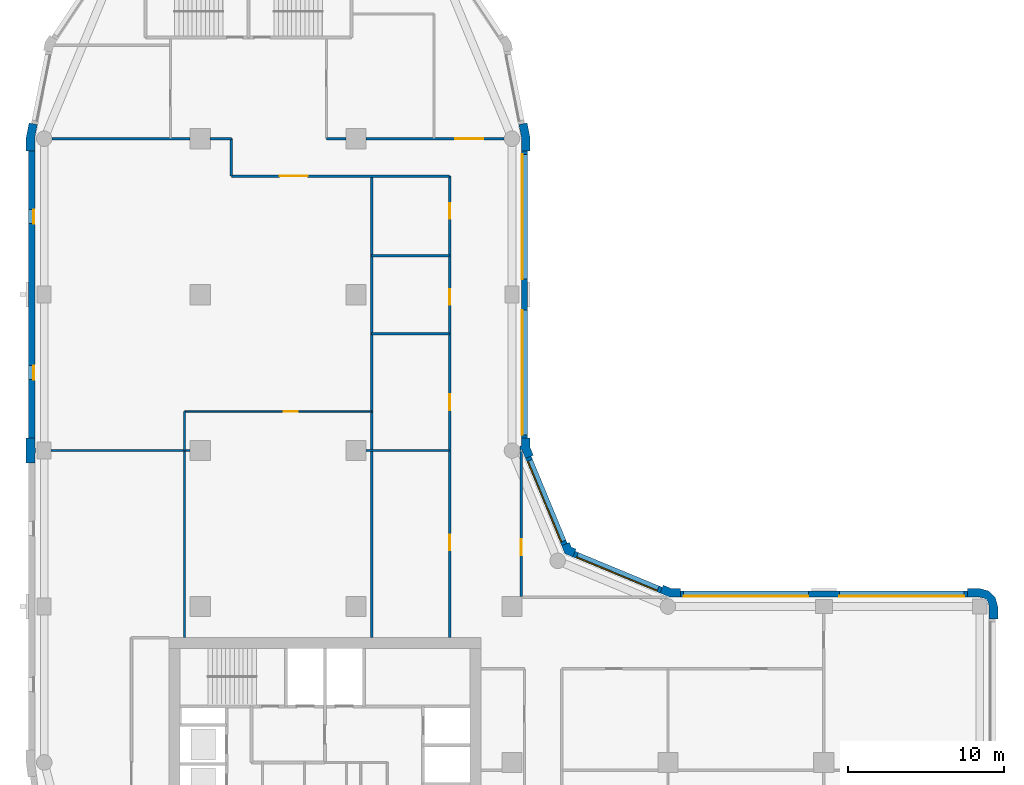
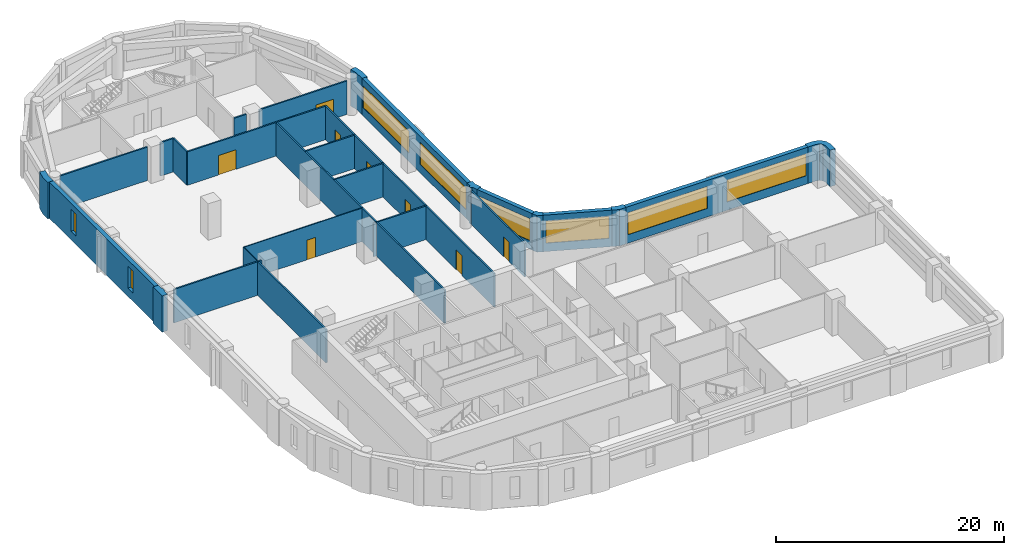
# One storey, part 5 of 9: 28 walls, 8 doors, 8 windows, 16 openings.
"""IFC4 building model written with IfcOpenShell, lengths in metres."""

from ifc_helpers import new_model, si_unit, direction, frame, frame_2d, origin, place, context, subcontext, project, spatial, polyline, rectangle, outline, extrude, material, layer, layer_set, type_object, element, fill, save


model = new_model("IFC4")

# Units and contexts
model_context = context("Model", 3, precision=1e-05, world=origin(), true_north=direction((0.0, 1.0)))
body_context = subcontext(model_context, "Body", "Model", "MODEL_VIEW")
ifc_project = project(units=[si_unit("LENGTHUNIT", "METRE"), si_unit("AREAUNIT", "SQUARE_METRE"), si_unit("VOLUMEUNIT", "CUBIC_METRE"), si_unit("PLANEANGLEUNIT", "RADIAN"), si_unit("MASSUNIT", "GRAM", prefix="KILO")], contexts=[model_context])

# Site, building, storey
site_placement = place(None, origin())
site = spatial("IfcSite", under=ifc_project, at=site_placement, CompositionType="ELEMENT")
building_placement = place(site_placement, origin())
building = spatial("IfcBuilding", under=site, at=building_placement, Name="Qaws Garden Tower", CompositionType="ELEMENT")
storey_placement = place(building_placement, frame((0.0, 0.0, 155.10009765625)))
storey = spatial("IfcBuildingStorey", under=building, at=storey_placement, Name="L37", CompositionType="ELEMENT", Elevation=155.10009765625)

# Wall
ifc_material_1 = material(Name="Clay facing brick masonry", Category="masonry")
ifc_layer_1 = layer(ifc_material_1, 0.550048828125)
ifc_layer_set_1 = layer_set([ifc_layer_1], Name="Clay facing brick masonry")
wall_type_1 = type_object("IfcWallType", Name="Brick corner pier 550 x 2400", PredefinedType="SOLIDWALL", material=ifc_layer_set_1)
placement = place(storey_placement, origin())
element("IfcWall", 1, at=placement, inside=storey, type_object=wall_type_1, Name="E-L37-pier-07", PredefinedType="SOLIDWALL", context=body_context, shape_type="SweptSolid", body=[
    extrude(outline(polyline([(61.0, 29.199951171875), (61.14990234375, 29.199951171875), (61.14990234375, 30.0), (60.995849609375, 30.574951171875), (60.574951171875, 30.995849609375), (60.0, 31.14990234375), (59.199951171875, 31.14990234375), (59.199951171875, 31.0), (59.199951171875, 30.60009765625), (60.0, 30.60009765625), (60.300048828125, 30.51953125), (60.51953125, 30.300048828125), (60.60009765625, 30.0), (60.60009765625, 29.199951171875), (61.0, 29.199951171875)])), origin(), (0.0, 0.0, 1.0), 3.89990234375),
])

# Wall, openings, windows
ifc_material_2 = material(Name="Clay facing brick masonry", Category="masonry")
ifc_layer_2 = layer(ifc_material_2, 0.39990234375)
ifc_layer_set_2 = layer_set([ifc_layer_2], Name="Clay facing brick masonry")
wall_type_2 = type_object("IfcWallType", Name="Brick infill wall 400", PredefinedType="SOLIDWALL", material=ifc_layer_set_2)
wall_2_placement = place(storey_placement, frame((59.199951171875, 30.800048828125, 0.0), z_axis=(0.0, 0.0, 1.0), x_axis=(-1.0, 0.0, 0.0)))
wall_2 = element("IfcWall", 2, at=wall_2_placement, inside=storey, type_object=wall_type_2, Name="E-L37-infill-07", PredefinedType="SOLIDWALL", context=body_context, shape_type="SweptSolid", body=[
    extrude(rectangle(XDim=18.39990234375, YDim=0.39990234375, at=frame_2d((9.199951171875, 0.0))), origin(), (0.0, 0.0, 1.0), 3.89990234375),
])
opening_1_placement = place(wall_2_placement, frame((0.199951171875, 0.0, 0.89990234375)))
opening_1 = element("IfcOpeningElement", 3, at=opening_1_placement, cuts=wall_2, Name="Opening W01", PredefinedType="OPENING", context=body_context, shape_type="SweptSolid", body=[
    extrude(rectangle(XDim=8.0, YDim=2.35009765625, at=frame_2d((4.0, 1.175048828125))), frame((0.0, 0.2099609375, 0.0), z_axis=(0.0, -1.0, 0.0), x_axis=(1.0, 0.0, 0.0)), (0.0, 0.0, 1.0), 0.419921875),
])
opening_2_placement = place(wall_2_placement, frame((10.199951171875, 0.0, 0.89990234375)))
opening_2 = element("IfcOpeningElement", 4, at=opening_2_placement, cuts=wall_2, Name="Opening W01", PredefinedType="OPENING", context=body_context, shape_type="SweptSolid", body=[
    extrude(rectangle(XDim=8.0, YDim=2.35009765625, at=frame_2d((4.0, 1.175048828125))), frame((0.0, 0.2099609375, 0.0), z_axis=(0.0, -1.0, 0.0), x_axis=(1.0, 0.0, 0.0)), (0.0, 0.0, 1.0), 0.419921875),
])
ifc_material_3 = material(Name="Aluminium framed window, clear glazing", Category="aluminium")
window_type_1 = type_object("IfcWindowType", Name="Ribbon window 8000 x 2350", PartitioningType="DOUBLE_PANEL_VERTICAL", PredefinedType="WINDOW", material=ifc_material_3)
window_1_placement = place(opening_1_placement, origin())
window_1 = element("IfcWindow", 5, at=window_1_placement, inside=storey, type_object=window_type_1, Name="E-L37-window-07-0", OverallHeight=2.35009765625, OverallWidth=8.0, PartitioningType="SINGLE_PANEL", PredefinedType="WINDOW", context=body_context, shape_type="SweptSolid", body=[
    extrude(rectangle(XDim=8.0, YDim=2.35009765625, at=frame_2d((4.0, 1.175048828125))), frame((0.0, 0.159912109375, 0.0), z_axis=(0.0, -1.0, 0.0), x_axis=(1.0, 0.0, 0.0)), (0.0, 0.0, 1.0), 0.06005859375),
])
fill(opening_1, window_1)
window_2_placement = place(opening_2_placement, origin())
window_2 = element("IfcWindow", 6, at=window_2_placement, inside=storey, type_object=window_type_1, Name="E-L37-window-08-0", OverallHeight=2.35009765625, OverallWidth=8.0, PartitioningType="SINGLE_PANEL", PredefinedType="WINDOW", context=body_context, shape_type="SweptSolid", body=[
    extrude(rectangle(XDim=8.0, YDim=2.35009765625, at=frame_2d((4.0, 1.175048828125))), frame((0.0, 0.159912109375, 0.0), z_axis=(0.0, -1.0, 0.0), x_axis=(1.0, 0.0, 0.0)), (0.0, 0.0, 1.0), 0.06005859375),
])
fill(opening_2, window_2)

# Wall, opening, window
wall_3_placement = place(storey_placement, frame((39.56689453125, 31.04541015625, 0.0), z_axis=(0.0, 0.0, 1.0), x_axis=(-0.923891000409, 0.382655745237, 0.0)))
wall_3 = element("IfcWall", 7, at=wall_3_placement, inside=storey, type_object=wall_type_2, Name="E-L37-infill-09", PredefinedType="SOLIDWALL", context=body_context, shape_type="SweptSolid", body=[
    extrude(rectangle(XDim=6.053466796875, YDim=0.39990234375, at=frame_2d((3.02685546875, 0.0))), origin(), (0.0, 0.0, 1.0), 3.89990234375),
])
opening_3_placement = place(wall_3_placement, frame((0.226806640625, 0.0, 0.89990234375)))
opening_3 = element("IfcOpeningElement", 8, at=opening_3_placement, cuts=wall_3, Name="Opening W04", PredefinedType="OPENING", context=body_context, shape_type="SweptSolid", body=[
    extrude(rectangle(XDim=5.60009765625, YDim=2.35009765625, at=frame_2d((2.800048828125, 1.175048828125))), frame((0.0, 0.2099609375, 0.0), z_axis=(0.0, -1.0, 0.0), x_axis=(1.0, 0.0, 0.0)), (0.0, 0.0, 1.0), 0.419921875),
])
ifc_material_4 = material(Name="Aluminium framed window, clear glazing", Category="aluminium")
window_type_2 = type_object("IfcWindowType", Name="Ribbon window 5600 x 2350", PartitioningType="DOUBLE_PANEL_VERTICAL", PredefinedType="WINDOW", material=ifc_material_4)
window_3_placement = place(opening_3_placement, origin())
window_3 = element("IfcWindow", 9, at=window_3_placement, inside=storey, type_object=window_type_2, Name="E-L37-window-09-0", OverallHeight=2.35009765625, OverallWidth=5.60009765625, PartitioningType="SINGLE_PANEL", PredefinedType="WINDOW", context=body_context, shape_type="SweptSolid", body=[
    extrude(rectangle(XDim=5.60009765625, YDim=2.35009765625, at=frame_2d((2.800048828125, 1.175048828125))), frame((0.0, 0.159912109375, 0.0), z_axis=(0.0, -1.0, 0.0), x_axis=(1.0, 0.0, 0.0)), (0.0, 0.0, 1.0), 0.06005859375),
])
fill(opening_3, window_3)

wall_4_placement = place(storey_placement, frame((33.36181640625, 33.97412109375, 0.0), z_axis=(0.0, 0.0, 1.0), x_axis=(-0.382655745237, 0.923891000409, 0.0)))
wall_4 = element("IfcWall", 10, at=wall_4_placement, inside=storey, type_object=wall_type_2, Name="E-L37-infill-10", PredefinedType="SOLIDWALL", context=body_context, shape_type="SweptSolid", body=[
    extrude(rectangle(XDim=6.053466796875, YDim=0.39990234375, at=frame_2d((3.02685546875, 0.0))), origin(), (0.0, 0.0, 1.0), 3.89990234375),
])
opening_4_placement = place(wall_4_placement, frame((0.226806640625, 0.0, 0.89990234375)))
opening_4 = element("IfcOpeningElement", 11, at=opening_4_placement, cuts=wall_4, Name="Opening W04", PredefinedType="OPENING", context=body_context, shape_type="SweptSolid", body=[
    extrude(rectangle(XDim=5.60009765625, YDim=2.35009765625, at=frame_2d((2.800048828125, 1.175048828125))), frame((0.0, 0.2099609375, 0.0), z_axis=(0.0, -1.0, 0.0), x_axis=(1.0, 0.0, 0.0)), (0.0, 0.0, 1.0), 0.419921875),
])
window_4_placement = place(opening_4_placement, origin())
window_4 = element("IfcWindow", 12, at=window_4_placement, inside=storey, type_object=window_type_2, Name="E-L37-window-10-0", OverallHeight=2.35009765625, OverallWidth=5.60009765625, PartitioningType="SINGLE_PANEL", PredefinedType="WINDOW", context=body_context, shape_type="SweptSolid", body=[
    extrude(rectangle(XDim=5.60009765625, YDim=2.35009765625, at=frame_2d((2.800048828125, 1.175048828125))), frame((0.0, 0.159912109375, 0.0), z_axis=(0.0, -1.0, 0.0), x_axis=(1.0, 0.0, 0.0)), (0.0, 0.0, 1.0), 0.06005859375),
])
fill(opening_4, window_4)

# Wall, openings, windows
wall_5_placement = place(storey_placement, frame((30.800048828125, 40.800048828125, 0.0), z_axis=(0.0, 0.0, 1.0), x_axis=(0.0, 1.0, 0.0)))
wall_5 = element("IfcWall", 13, at=wall_5_placement, inside=storey, type_object=wall_type_2, Name="E-L37-infill-11", PredefinedType="SOLIDWALL", context=body_context, shape_type="SweptSolid", body=[
    extrude(rectangle(XDim=18.39990234375, YDim=0.39990234375, at=frame_2d((9.199951171875, 0.0))), origin(), (0.0, 0.0, 1.0), 3.89990234375),
])
opening_5_placement = place(wall_5_placement, frame((0.199951171875, 0.0, 0.89990234375)))
opening_5 = element("IfcOpeningElement", 14, at=opening_5_placement, cuts=wall_5, Name="Opening W01", PredefinedType="OPENING", context=body_context, shape_type="SweptSolid", body=[
    extrude(rectangle(XDim=8.0, YDim=2.35009765625, at=frame_2d((4.0, 1.175048828125))), frame((0.0, 0.2099609375, 0.0), z_axis=(0.0, -1.0, 0.0), x_axis=(1.0, 0.0, 0.0)), (0.0, 0.0, 1.0), 0.419921875),
])
opening_6_placement = place(wall_5_placement, frame((10.199951171875, 0.0, 0.89990234375)))
opening_6 = element("IfcOpeningElement", 15, at=opening_6_placement, cuts=wall_5, Name="Opening W01", PredefinedType="OPENING", context=body_context, shape_type="SweptSolid", body=[
    extrude(rectangle(XDim=8.0, YDim=2.35009765625, at=frame_2d((4.0, 1.175048828125))), frame((0.0, 0.2099609375, 0.0), z_axis=(0.0, -1.0, 0.0), x_axis=(1.0, 0.0, 0.0)), (0.0, 0.0, 1.0), 0.419921875),
])
window_5_placement = place(opening_5_placement, origin())
window_5 = element("IfcWindow", 16, at=window_5_placement, inside=storey, type_object=window_type_1, Name="E-L37-window-11-0", OverallHeight=2.35009765625, OverallWidth=8.0, PartitioningType="SINGLE_PANEL", PredefinedType="WINDOW", context=body_context, shape_type="SweptSolid", body=[
    extrude(rectangle(XDim=8.0, YDim=2.35009765625, at=frame_2d((4.0, 1.175048828125))), frame((0.0, 0.159912109375, 0.0), z_axis=(0.0, -1.0, 0.0), x_axis=(1.0, 0.0, 0.0)), (0.0, 0.0, 1.0), 0.06005859375),
])
fill(opening_5, window_5)
window_6_placement = place(opening_6_placement, origin())
window_6 = element("IfcWindow", 17, at=window_6_placement, inside=storey, type_object=window_type_1, Name="E-L37-window-12-0", OverallHeight=2.35009765625, OverallWidth=8.0, PartitioningType="SINGLE_PANEL", PredefinedType="WINDOW", context=body_context, shape_type="SweptSolid", body=[
    extrude(rectangle(XDim=8.0, YDim=2.35009765625, at=frame_2d((4.0, 1.175048828125))), frame((0.0, 0.159912109375, 0.0), z_axis=(0.0, -1.0, 0.0), x_axis=(1.0, 0.0, 0.0)), (0.0, 0.0, 1.0), 0.06005859375),
])
fill(opening_6, window_6)

wall_6_placement = place(storey_placement, frame((-0.800048828125, 59.199951171875, 0.0), z_axis=(0.0, 0.0, 1.0), x_axis=(0.0, -1.0, 0.0)))
wall_6 = element("IfcWall", 18, at=wall_6_placement, inside=storey, type_object=wall_type_2, Name="E-L37-infill-21", PredefinedType="SOLIDWALL", context=body_context, shape_type="SweptSolid", body=[
    extrude(rectangle(XDim=18.39990234375, YDim=0.39990234375, at=frame_2d((9.199951171875, 0.0))), origin(), (0.0, 0.0, 1.0), 3.89990234375),
])
opening_7_placement = place(wall_6_placement, frame((3.75, 0.0, 0.89990234375)))
opening_7 = element("IfcOpeningElement", 19, at=opening_7_placement, cuts=wall_6, Name="Opening W09", PredefinedType="OPENING", context=body_context, shape_type="SweptSolid", body=[
    extrude(rectangle(XDim=0.89990234375, YDim=2.35009765625, at=frame_2d((0.449951171875, 1.175048828125))), frame((0.0, 0.2099609375, 0.0), z_axis=(0.0, -1.0, 0.0), x_axis=(1.0, 0.0, 0.0)), (0.0, 0.0, 1.0), 0.419921875),
])
opening_8_placement = place(wall_6_placement, frame((13.75, 0.0, 0.89990234375)))
opening_8 = element("IfcOpeningElement", 20, at=opening_8_placement, cuts=wall_6, Name="Opening W09", PredefinedType="OPENING", context=body_context, shape_type="SweptSolid", body=[
    extrude(rectangle(XDim=0.89990234375, YDim=2.35009765625, at=frame_2d((0.449951171875, 1.175048828125))), frame((0.0, 0.2099609375, 0.0), z_axis=(0.0, -1.0, 0.0), x_axis=(1.0, 0.0, 0.0)), (0.0, 0.0, 1.0), 0.419921875),
])
ifc_material_5 = material(Name="Aluminium framed window, clear glazing", Category="aluminium")
window_type_3 = type_object("IfcWindowType", Name="Slit window 900 x 2350", PartitioningType="SINGLE_PANEL", PredefinedType="WINDOW", material=ifc_material_5)
window_7_placement = place(opening_7_placement, origin())
window_7 = element("IfcWindow", 21, at=window_7_placement, inside=storey, type_object=window_type_3, Name="E-L37-window-21-0", OverallHeight=2.35009765625, OverallWidth=0.89990234375, PartitioningType="SINGLE_PANEL", PredefinedType="WINDOW", context=body_context, shape_type="SweptSolid", body=[
    extrude(rectangle(XDim=0.89990234375, YDim=2.35009765625, at=frame_2d((0.449951171875, 1.175048828125))), frame((0.0, 0.159912109375, 0.0), z_axis=(0.0, -1.0, 0.0), x_axis=(1.0, 0.0, 0.0)), (0.0, 0.0, 1.0), 0.06005859375),
])
fill(opening_7, window_7)
window_8_placement = place(opening_8_placement, origin())
window_8 = element("IfcWindow", 22, at=window_8_placement, inside=storey, type_object=window_type_3, Name="E-L37-window-22-0", OverallHeight=2.35009765625, OverallWidth=0.89990234375, PartitioningType="SINGLE_PANEL", PredefinedType="WINDOW", context=body_context, shape_type="SweptSolid", body=[
    extrude(rectangle(XDim=0.89990234375, YDim=2.35009765625, at=frame_2d((0.449951171875, 1.175048828125))), frame((0.0, 0.159912109375, 0.0), z_axis=(0.0, -1.0, 0.0), x_axis=(1.0, 0.0, 0.0)), (0.0, 0.0, 1.0), 0.06005859375),
])
fill(opening_8, window_8)

# Walls
ifc_material_6 = material(Name="Clay facing brick masonry", Category="masonry")
ifc_layer_3 = layer(ifc_material_6, 0.550048828125)
ifc_layer_set_3 = layer_set([ifc_layer_3], Name="Clay facing brick masonry")
wall_type_3 = type_object("IfcWallType", Name="Brick pier 550 x 1600", PredefinedType="SOLIDWALL", material=ifc_layer_set_3)
element("IfcWall", 23, at=placement, inside=storey, type_object=wall_type_3, Name="E-L37-pier-09", PredefinedType="SOLIDWALL", context=body_context, shape_type="SweptSolid", body=[
    extrude(outline(polyline([(40.800048828125, 31.0), (40.800048828125, 31.14990234375), (40.228759765625, 31.14990234375), (39.700927734375, 31.36865234375), (39.6435546875, 31.22998046875), (39.490478515625, 30.860595703125), (40.119384765625, 30.60009765625), (40.800048828125, 30.60009765625), (40.800048828125, 31.0)])), origin(), (0.0, 0.0, 1.0), 3.89990234375),
])
element("IfcWall", 24, at=placement, inside=storey, type_object=wall_type_3, Name="E-L37-pier-10", PredefinedType="SOLIDWALL", context=body_context, shape_type="SweptSolid", body=[
    extrude(outline(polyline([(34.05078125, 33.546630859375), (34.108154296875, 33.685302734375), (33.80908203125, 33.80908203125), (33.685302734375, 34.108154296875), (33.546630859375, 34.05078125), (33.177001953125, 33.897705078125), (33.38818359375, 33.38818359375), (33.897705078125, 33.177001953125), (34.05078125, 33.546630859375)])), origin(), (0.0, 0.0, 1.0), 3.89990234375),
])
element("IfcWall", 25, at=placement, inside=storey, type_object=wall_type_3, Name="E-L37-pier-11", PredefinedType="SOLIDWALL", context=body_context, shape_type="SweptSolid", body=[
    extrude(outline(polyline([(30.6201171875, 39.995361328125), (30.6201171875, 40.071044921875), (30.860595703125, 39.490478515625), (31.22998046875, 39.6435546875), (31.36865234375, 39.700927734375), (31.14990234375, 40.228759765625), (31.14990234375, 40.800048828125), (31.0, 40.800048828125), (30.60009765625, 40.800048828125), (30.60009765625, 40.29541015625), (30.5, 40.29541015625), (30.5, 39.995361328125), (30.6201171875, 39.995361328125)])), origin(), (0.0, 0.0, 1.0), 3.89990234375),
])
element("IfcWall", 26, at=placement, inside=storey, type_object=wall_type_3, Name="E-L37-pier-13", PredefinedType="SOLIDWALL", context=body_context, shape_type="SweptSolid", body=[
    extrude(outline(polyline([(31.0, 59.199951171875), (31.14990234375, 59.199951171875), (31.14990234375, 60.11328125), (30.971923828125, 61.009033203125), (30.82470703125, 60.979736328125), (30.432373046875, 60.901611328125), (30.60009765625, 60.05908203125), (30.60009765625, 59.199951171875), (31.0, 59.199951171875)])), origin(), (0.0, 0.0, 1.0), 3.89990234375),
])
element("IfcWall", 27, at=placement, inside=storey, type_object=wall_type_3, Name="E-L37-pier-21", PredefinedType="SOLIDWALL", context=body_context, shape_type="SweptSolid", body=[
    extrude(outline(polyline([(-0.82470703125, 60.979736328125), (-0.971923828125, 61.009033203125), (-1.14990234375, 60.11328125), (-1.14990234375, 59.199951171875), (-1.0, 59.199951171875), (-0.60009765625, 59.199951171875), (-0.60009765625, 60.05908203125), (-0.432373046875, 60.901611328125), (-0.82470703125, 60.979736328125)])), origin(), (0.0, 0.0, 1.0), 3.89990234375),
])
element("IfcWall", 28, at=placement, inside=storey, type_object=wall_type_3, Name="E-L37-pier-23", PredefinedType="SOLIDWALL", context=body_context, shape_type="SweptSolid", body=[
    extrude(outline(polyline([(-0.60009765625, 39.199951171875), (-0.60009765625, 39.85009765625), (-0.550048828125, 39.85009765625), (-0.550048828125, 40.14990234375), (-0.60009765625, 40.14990234375), (-0.60009765625, 40.800048828125), (-1.0, 40.800048828125), (-1.14990234375, 40.800048828125), (-1.14990234375, 40.0), (-1.14990234375, 39.199951171875), (-1.0, 39.199951171875), (-0.60009765625, 39.199951171875)])), origin(), (0.0, 0.0, 1.0), 3.89990234375),
])
ifc_material_7 = material(Name="Gypsum board partition")
ifc_layer_4 = layer(ifc_material_7, 0.10009765625)
ifc_layer_set_4 = layer_set([ifc_layer_4], Name="Gypsum board partition")
wall_type_4 = type_object("IfcWallType", Name="PARTITION 100", PredefinedType="PARTITIONING", material=ifc_layer_set_4)
wall_13_placement = place(storey_placement, frame((9.0, 40.0, 0.0), z_axis=(0.0, 0.0, 1.0), x_axis=(0.0, 1.0, 0.0)))
element("IfcWall", 29, at=wall_13_placement, inside=storey, type_object=wall_type_4, Name="O-L37-wall-001", PredefinedType="PARTITIONING", context=body_context, shape_type="SweptSolid", body=[
    extrude(rectangle(XDim=2.5, YDim=0.10009765625, at=frame_2d((1.25, 0.0))), origin(), (0.0, 0.0, 1.0), 3.579833984375),
])

# Wall, opening, door
wall_14_placement = place(storey_placement, frame((9.0, 42.5, 0.0), z_axis=(0.0, 0.0, 1.0), x_axis=(1.0, 0.0, 0.0)))
wall_14 = element("IfcWall", 30, at=wall_14_placement, inside=storey, type_object=wall_type_4, Name="O-L37-wall-005", PredefinedType="PARTITIONING", context=body_context, shape_type="SweptSolid", body=[
    extrude(rectangle(XDim=12.0, YDim=0.10009765625, at=frame_2d((6.0, 0.0))), origin(), (0.0, 0.0, 1.0), 3.579833984375),
])
opening_9_placement = place(wall_14_placement, frame((6.35009765625, 0.0, 0.0)))
opening_9 = element("IfcOpeningElement", 31, at=opening_9_placement, cuts=wall_14, Name="Opening B324", PredefinedType="OPENING", context=body_context, shape_type="SweptSolid", body=[
    extrude(rectangle(XDim=0.89990234375, YDim=2.10009765625, at=frame_2d((0.449951171875, 1.050048828125))), frame((0.0, 0.06005859375, 0.0), z_axis=(0.0, -1.0, 0.0), x_axis=(1.0, 0.0, 0.0)), (0.0, 0.0, 1.0), 0.1201171875),
])
ifc_material_8 = material(Name="Timber door leaf", Category="wood")
door_type_1 = type_object("IfcDoorType", Name="OFFICE DOOR 900 X 2100", OperationType="SINGLE_SWING_LEFT", PredefinedType="DOOR", material=ifc_material_8)
door_1_placement = place(opening_9_placement, frame((0.89990234375, 0.0, 0.0), z_axis=(0.0, 0.0, 1.0), x_axis=(-1.0, 0.0, 0.0)))
door_1 = element("IfcDoor", 32, at=door_1_placement, inside=storey, type_object=door_type_1, Name="O-L37-door-024", OperationType="SINGLE_SWING_LEFT", OverallHeight=2.10009765625, OverallWidth=0.89990234375, PredefinedType="DOOR", context=body_context, shape_type="SweptSolid", body=[
    extrude(rectangle(XDim=0.89990234375, YDim=2.10009765625, at=frame_2d((0.449951171875, 1.050048828125))), frame((0.0, 0.02490234375, 0.0), z_axis=(0.0, -1.0, 0.0), x_axis=(1.0, 0.0, 0.0)), (0.0, 0.0, 1.0), 0.050048828125),
])
fill(opening_9, door_1)

# Walls
ifc_material_9 = material(Name="Gypsum board partition")
ifc_layer_5 = layer(ifc_material_9, 0.14990234375)
ifc_layer_set_5 = layer_set([ifc_layer_5], Name="Gypsum board partition")
wall_type_5 = type_object("IfcWallType", Name="PARTITION 150 EI 60", PredefinedType="PARTITIONING", material=ifc_layer_set_5)
wall_15_placement = place(storey_placement, frame((9.0, 28.0, 0.0), z_axis=(0.0, 0.0, 1.0), x_axis=(0.0, 1.0, 0.0)))
element("IfcWall", 33, at=wall_15_placement, inside=storey, type_object=wall_type_5, Name="O-L37-wall-008", PredefinedType="PARTITIONING", context=body_context, shape_type="SweptSolid", body=[
    extrude(rectangle(XDim=12.0, YDim=0.14990234375, at=frame_2d((6.0, 0.0))), origin(), (0.0, 0.0, 1.0), 3.579833984375),
])
wall_16_placement = place(storey_placement, frame((12.0, 57.60009765625, 0.0), z_axis=(0.0, 0.0, 1.0), x_axis=(0.0, 1.0, 0.0)))
element("IfcWall", 34, at=wall_16_placement, inside=storey, type_object=wall_type_5, Name="O-L37-wall-009", PredefinedType="PARTITIONING", context=body_context, shape_type="SweptSolid", body=[
    extrude(rectangle(XDim=2.39990234375, YDim=0.14990234375, at=frame_2d((1.199951171875, 0.0))), origin(), (0.0, 0.0, 1.0), 3.579833984375),
])
wall_17_placement = place(storey_placement, frame((21.0, 28.0, 0.0), z_axis=(0.0, 0.0, 1.0), x_axis=(0.0, 1.0, 0.0)))
element("IfcWall", 35, at=wall_17_placement, inside=storey, type_object=wall_type_5, Name="O-L37-wall-013", PredefinedType="PARTITIONING", context=body_context, shape_type="SweptSolid", body=[
    extrude(rectangle(XDim=29.60009765625, YDim=0.14990234375, at=frame_2d((14.800048828125, 0.0))), origin(), (0.0, 0.0, 1.0), 3.579833984375),
])

# Wall, openings, doors
wall_18_placement = place(storey_placement, frame((26.0, 28.0, 0.0), z_axis=(0.0, 0.0, 1.0), x_axis=(0.0, 1.0, 0.0)))
wall_18 = element("IfcWall", 36, at=wall_18_placement, inside=storey, type_object=wall_type_5, Name="O-L37-wall-015", PredefinedType="PARTITIONING", context=body_context, shape_type="SweptSolid", body=[
    extrude(rectangle(XDim=29.60009765625, YDim=0.14990234375, at=frame_2d((14.800048828125, 0.0))), origin(), (0.0, 0.0, 1.0), 3.579833984375),
])
opening_10_placement = place(wall_18_placement, frame((5.60009765625, 0.0, 0.0)))
opening_10 = element("IfcOpeningElement", 37, at=opening_10_placement, cuts=wall_18, Name="Opening B305", PredefinedType="OPENING", context=body_context, shape_type="SweptSolid", body=[
    extrude(rectangle(XDim=1.0, YDim=2.10009765625, at=frame_2d((0.5, 1.050048828125))), frame((0.0, 0.0849609375, 0.0), z_axis=(0.0, -1.0, 0.0), x_axis=(1.0, 0.0, 0.0)), (0.0, 0.0, 1.0), 0.169921875),
])
opening_11_placement = place(wall_18_placement, frame((14.60009765625, 0.0, 0.0)))
opening_11 = element("IfcOpeningElement", 38, at=opening_11_placement, cuts=wall_18, Name="Opening B306", PredefinedType="OPENING", context=body_context, shape_type="SweptSolid", body=[
    extrude(rectangle(XDim=1.0, YDim=2.10009765625, at=frame_2d((0.5, 1.050048828125))), frame((0.0, 0.0849609375, 0.0), z_axis=(0.0, -1.0, 0.0), x_axis=(1.0, 0.0, 0.0)), (0.0, 0.0, 1.0), 0.169921875),
])
opening_12_placement = place(wall_18_placement, frame((21.35009765625, 0.0, 0.0)))
opening_12 = element("IfcOpeningElement", 39, at=opening_12_placement, cuts=wall_18, Name="Opening B307", PredefinedType="OPENING", context=body_context, shape_type="SweptSolid", body=[
    extrude(rectangle(XDim=1.0, YDim=2.10009765625, at=frame_2d((0.5, 1.050048828125))), frame((0.0, 0.0849609375, 0.0), z_axis=(0.0, -1.0, 0.0), x_axis=(1.0, 0.0, 0.0)), (0.0, 0.0, 1.0), 0.169921875),
])
opening_13_placement = place(wall_18_placement, frame((26.85009765625, 0.0, 0.0)))
opening_13 = element("IfcOpeningElement", 40, at=opening_13_placement, cuts=wall_18, Name="Opening B308", PredefinedType="OPENING", context=body_context, shape_type="SweptSolid", body=[
    extrude(rectangle(XDim=1.0, YDim=2.10009765625, at=frame_2d((0.5, 1.050048828125))), frame((0.0, 0.0849609375, 0.0), z_axis=(0.0, -1.0, 0.0), x_axis=(1.0, 0.0, 0.0)), (0.0, 0.0, 1.0), 0.169921875),
])
ifc_material_10 = material(Name="Timber door leaf", Category="wood")
door_type_2 = type_object("IfcDoorType", Name="TENANCY ENTRANCE DOOR 1000 X 2100", OperationType="SINGLE_SWING_LEFT", PredefinedType="DOOR", material=ifc_material_10)
door_2_placement = place(opening_10_placement, origin())
door_2 = element("IfcDoor", 41, at=door_2_placement, inside=storey, type_object=door_type_2, Name="O-L37-door-005", OperationType="SINGLE_SWING_RIGHT", OverallHeight=2.10009765625, OverallWidth=1.0, PredefinedType="DOOR", context=body_context, shape_type="SweptSolid", body=[
    extrude(rectangle(XDim=1.0, YDim=2.10009765625, at=frame_2d((0.5, 1.050048828125))), frame((0.0, 0.02490234375, 0.0), z_axis=(0.0, -1.0, 0.0), x_axis=(1.0, 0.0, 0.0)), (0.0, 0.0, 1.0), 0.050048828125),
])
fill(opening_10, door_2)
door_3_placement = place(opening_11_placement, origin())
door_3 = element("IfcDoor", 42, at=door_3_placement, inside=storey, type_object=door_type_2, Name="O-L37-door-006", OperationType="SINGLE_SWING_LEFT", OverallHeight=2.10009765625, OverallWidth=1.0, PredefinedType="DOOR", context=body_context, shape_type="SweptSolid", body=[
    extrude(rectangle(XDim=1.0, YDim=2.10009765625, at=frame_2d((0.5, 1.050048828125))), frame((0.0, 0.02490234375, 0.0), z_axis=(0.0, -1.0, 0.0), x_axis=(1.0, 0.0, 0.0)), (0.0, 0.0, 1.0), 0.050048828125),
])
fill(opening_11, door_3)
door_4_placement = place(opening_12_placement, origin())
door_4 = element("IfcDoor", 43, at=door_4_placement, inside=storey, type_object=door_type_2, Name="O-L37-door-007", OperationType="SINGLE_SWING_LEFT", OverallHeight=2.10009765625, OverallWidth=1.0, PredefinedType="DOOR", context=body_context, shape_type="SweptSolid", body=[
    extrude(rectangle(XDim=1.0, YDim=2.10009765625, at=frame_2d((0.5, 1.050048828125))), frame((0.0, 0.02490234375, 0.0), z_axis=(0.0, -1.0, 0.0), x_axis=(1.0, 0.0, 0.0)), (0.0, 0.0, 1.0), 0.050048828125),
])
fill(opening_12, door_4)
door_5_placement = place(opening_13_placement, origin())
door_5 = element("IfcDoor", 44, at=door_5_placement, inside=storey, type_object=door_type_2, Name="O-L37-door-008", OperationType="SINGLE_SWING_LEFT", OverallHeight=2.10009765625, OverallWidth=1.0, PredefinedType="DOOR", context=body_context, shape_type="SweptSolid", body=[
    extrude(rectangle(XDim=1.0, YDim=2.10009765625, at=frame_2d((0.5, 1.050048828125))), frame((0.0, 0.02490234375, 0.0), z_axis=(0.0, -1.0, 0.0), x_axis=(1.0, 0.0, 0.0)), (0.0, 0.0, 1.0), 0.050048828125),
])
fill(opening_13, door_5)

# Wall, opening, door
wall_19_placement = place(storey_placement, frame((30.60009765625, 30.64990234375, 0.0), z_axis=(0.0, 0.0, 1.0), x_axis=(0.0, 1.0, 0.0)))
wall_19 = element("IfcWall", 45, at=wall_19_placement, inside=storey, type_object=wall_type_5, Name="O-L37-wall-018", PredefinedType="PARTITIONING", context=body_context, shape_type="SweptSolid", body=[
    extrude(rectangle(XDim=9.288330078125, YDim=0.14990234375, at=frame_2d((4.64404296875, 0.0))), origin(), (0.0, 0.0, 1.0), 3.579833984375),
])
opening_14_placement = place(wall_19_placement, frame((2.64990234375, 0.0, 0.0)))
opening_14 = element("IfcOpeningElement", 46, at=opening_14_placement, cuts=wall_19, Name="Opening B315", PredefinedType="OPENING", context=body_context, shape_type="SweptSolid", body=[
    extrude(rectangle(XDim=1.0, YDim=2.10009765625, at=frame_2d((0.5, 1.050048828125))), frame((0.0, 0.0849609375, 0.0), z_axis=(0.0, -1.0, 0.0), x_axis=(1.0, 0.0, 0.0)), (0.0, 0.0, 1.0), 0.169921875),
])
door_6_placement = place(opening_14_placement, frame((1.0, 0.0, 0.0), z_axis=(0.0, 0.0, 1.0), x_axis=(-1.0, 0.0, 0.0)))
door_6 = element("IfcDoor", 47, at=door_6_placement, inside=storey, type_object=door_type_2, Name="O-L37-door-015", OperationType="SINGLE_SWING_LEFT", OverallHeight=2.10009765625, OverallWidth=1.0, PredefinedType="DOOR", context=body_context, shape_type="SweptSolid", body=[
    extrude(rectangle(XDim=1.0, YDim=2.10009765625, at=frame_2d((0.5, 1.050048828125))), frame((0.0, 0.02490234375, 0.0), z_axis=(0.0, -1.0, 0.0), x_axis=(1.0, 0.0, 0.0)), (0.0, 0.0, 1.0), 0.050048828125),
])
fill(opening_14, door_6)

# Walls
wall_20_placement = place(storey_placement, frame((0.449951171875, 40.0, 0.0), z_axis=(0.0, 0.0, 1.0), x_axis=(1.0, 0.0, 0.0)))
element("IfcWall", 48, at=wall_20_placement, inside=storey, type_object=wall_type_5, Name="O-L37-wall-046", PredefinedType="PARTITIONING", context=body_context, shape_type="SweptSolid", body=[
    extrude(rectangle(XDim=8.900146484375, YDim=0.14990234375, at=frame_2d((4.4501953125, 0.0))), origin(), (0.0, 0.0, 1.0), 3.579833984375),
])
wall_21_placement = place(storey_placement, frame((20.64990234375, 40.0, 0.0), z_axis=(0.0, 0.0, 1.0), x_axis=(1.0, 0.0, 0.0)))
element("IfcWall", 49, at=wall_21_placement, inside=storey, type_object=wall_type_5, Name="O-L37-wall-047", PredefinedType="PARTITIONING", context=body_context, shape_type="SweptSolid", body=[
    extrude(rectangle(XDim=5.35009765625, YDim=0.14990234375, at=frame_2d((2.675048828125, 0.0))), origin(), (0.0, 0.0, 1.0), 3.579833984375),
])
for number, where, z_axis, x_axis, name in (
    (50, (21.0, 47.5, 0.0), (0.0, 0.0, 1.0), (1.0, 0.0, 0.0), "O-L37-wall-048"),
    (51, (21.0, 52.5, 0.0), (0.0, 0.0, 1.0), (1.0, 0.0, 0.0), "O-L37-wall-049"),
):
    element("IfcWall", number, at=place(storey_placement, frame(where, z_axis=z_axis, x_axis=x_axis)), inside=storey, type_object=wall_type_5, Name=name, PredefinedType="PARTITIONING", context=body_context, shape_type="SweptSolid", body=[
        extrude(rectangle(XDim=5.0, YDim=0.14990234375, at=frame_2d((2.5, 0.0))), origin(), (0.0, 0.0, 1.0), 3.579833984375),
    ])

# Wall, opening, door
wall_22_placement = place(storey_placement, frame((12.0, 57.60009765625, 0.0), z_axis=(0.0, 0.0, 1.0), x_axis=(1.0, 0.0, 0.0)))
wall_22 = element("IfcWall", 52, at=wall_22_placement, inside=storey, type_object=wall_type_5, Name="O-L37-wall-050", PredefinedType="PARTITIONING", context=body_context, shape_type="SweptSolid", body=[
    extrude(rectangle(XDim=14.0, YDim=0.14990234375, at=frame_2d((7.0, 0.0))), origin(), (0.0, 0.0, 1.0), 3.579833984375),
])
opening_15_placement = place(wall_22_placement, frame((3.10009765625, 0.0, 0.0)))
opening_15 = element("IfcOpeningElement", 53, at=opening_15_placement, cuts=wall_22, Name="Opening B309", PredefinedType="OPENING", context=body_context, shape_type="SweptSolid", body=[
    extrude(rectangle(XDim=1.800048828125, YDim=2.10009765625, at=frame_2d((0.89990234375, 1.050048828125))), frame((0.0, 0.0849609375, 0.0), z_axis=(0.0, -1.0, 0.0), x_axis=(1.0, 0.0, 0.0)), (0.0, 0.0, 1.0), 0.169921875),
])
ifc_material_11 = material(Name="Timber door leaf", Category="wood")
door_type_3 = type_object("IfcDoorType", Name="DOUBLE DOOR 1800 X 2100", OperationType="DOUBLE_DOOR_SINGLE_SWING", PredefinedType="DOOR", material=ifc_material_11)
door_7_placement = place(opening_15_placement, frame((1.800048828125, 0.0, 0.0), z_axis=(0.0, 0.0, 1.0), x_axis=(-1.0, 0.0, 0.0)))
door_7 = element("IfcDoor", 54, at=door_7_placement, inside=storey, type_object=door_type_3, Name="O-L37-door-009", OperationType="DOUBLE_DOOR_SINGLE_SWING", OverallHeight=2.10009765625, OverallWidth=1.800048828125, PredefinedType="DOOR", context=body_context, shape_type="SweptSolid", body=[
    extrude(rectangle(XDim=1.800048828125, YDim=2.10009765625, at=frame_2d((0.89990234375, 1.050048828125))), frame((0.0, 0.02490234375, 0.0), z_axis=(0.0, -1.0, 0.0), x_axis=(1.0, 0.0, 0.0)), (0.0, 0.0, 1.0), 0.050048828125),
])
fill(opening_15, door_7)

# Walls
wall_23_placement = place(storey_placement, frame((0.5, 60.0, 0.0), z_axis=(0.0, 0.0, 1.0), x_axis=(1.0, 0.0, 0.0)))
element("IfcWall", 55, at=wall_23_placement, inside=storey, type_object=wall_type_5, Name="O-L37-wall-051", PredefinedType="PARTITIONING", context=body_context, shape_type="SweptSolid", body=[
    extrude(rectangle(XDim=8.85009765625, YDim=0.14990234375, at=frame_2d((4.425048828125, 0.0))), origin(), (0.0, 0.0, 1.0), 3.579833984375),
])
wall_24_placement = place(storey_placement, frame((10.64990234375, 60.0, 0.0), z_axis=(0.0, 0.0, 1.0), x_axis=(1.0, 0.0, 0.0)))
element("IfcWall", 56, at=wall_24_placement, inside=storey, type_object=wall_type_5, Name="O-L37-wall-052", PredefinedType="PARTITIONING", context=body_context, shape_type="SweptSolid", body=[
    extrude(rectangle(XDim=1.35009765625, YDim=0.14990234375, at=frame_2d((0.675048828125, 0.0))), origin(), (0.0, 0.0, 1.0), 3.579833984375),
])
wall_25_placement = place(storey_placement, frame((18.10009765625, 60.0, 0.0), z_axis=(0.0, 0.0, 1.0), x_axis=(1.0, 0.0, 0.0)))
element("IfcWall", 57, at=wall_25_placement, inside=storey, type_object=wall_type_5, Name="O-L37-wall-053", PredefinedType="PARTITIONING", context=body_context, shape_type="SweptSolid", body=[
    extrude(rectangle(XDim=1.25, YDim=0.14990234375, at=frame_2d((0.625, 0.0))), origin(), (0.0, 0.0, 1.0), 3.579833984375),
])

# Wall, opening, door
wall_26_placement = place(storey_placement, frame((20.64990234375, 60.0, 0.0), z_axis=(0.0, 0.0, 1.0), x_axis=(1.0, 0.0, 0.0)))
wall_26 = element("IfcWall", 58, at=wall_26_placement, inside=storey, type_object=wall_type_5, Name="O-L37-wall-054", PredefinedType="PARTITIONING", context=body_context, shape_type="SweptSolid", body=[
    extrude(rectangle(XDim=8.85009765625, YDim=0.14990234375, at=frame_2d((4.425048828125, 0.0))), origin(), (0.0, 0.0, 1.0), 3.579833984375),
])
opening_16_placement = place(wall_26_placement, frame((5.699951171875, 0.0, 0.0)))
opening_16 = element("IfcOpeningElement", 59, at=opening_16_placement, cuts=wall_26, Name="Opening B314", PredefinedType="OPENING", context=body_context, shape_type="SweptSolid", body=[
    extrude(rectangle(XDim=1.800048828125, YDim=2.10009765625, at=frame_2d((0.89990234375, 1.050048828125))), frame((0.0, 0.0849609375, 0.0), z_axis=(0.0, -1.0, 0.0), x_axis=(1.0, 0.0, 0.0)), (0.0, 0.0, 1.0), 0.169921875),
])
door_8_placement = place(opening_16_placement, origin())
door_8 = element("IfcDoor", 60, at=door_8_placement, inside=storey, type_object=door_type_3, Name="O-L37-door-014", OperationType="DOUBLE_DOOR_SINGLE_SWING", OverallHeight=2.10009765625, OverallWidth=1.800048828125, PredefinedType="DOOR", context=body_context, shape_type="SweptSolid", body=[
    extrude(rectangle(XDim=1.800048828125, YDim=2.10009765625, at=frame_2d((0.89990234375, 1.050048828125))), frame((0.0, 0.02490234375, 0.0), z_axis=(0.0, -1.0, 0.0), x_axis=(1.0, 0.0, 0.0)), (0.0, 0.0, 1.0), 0.050048828125),
])
fill(opening_16, door_8)

save(model, "model.ifc")
